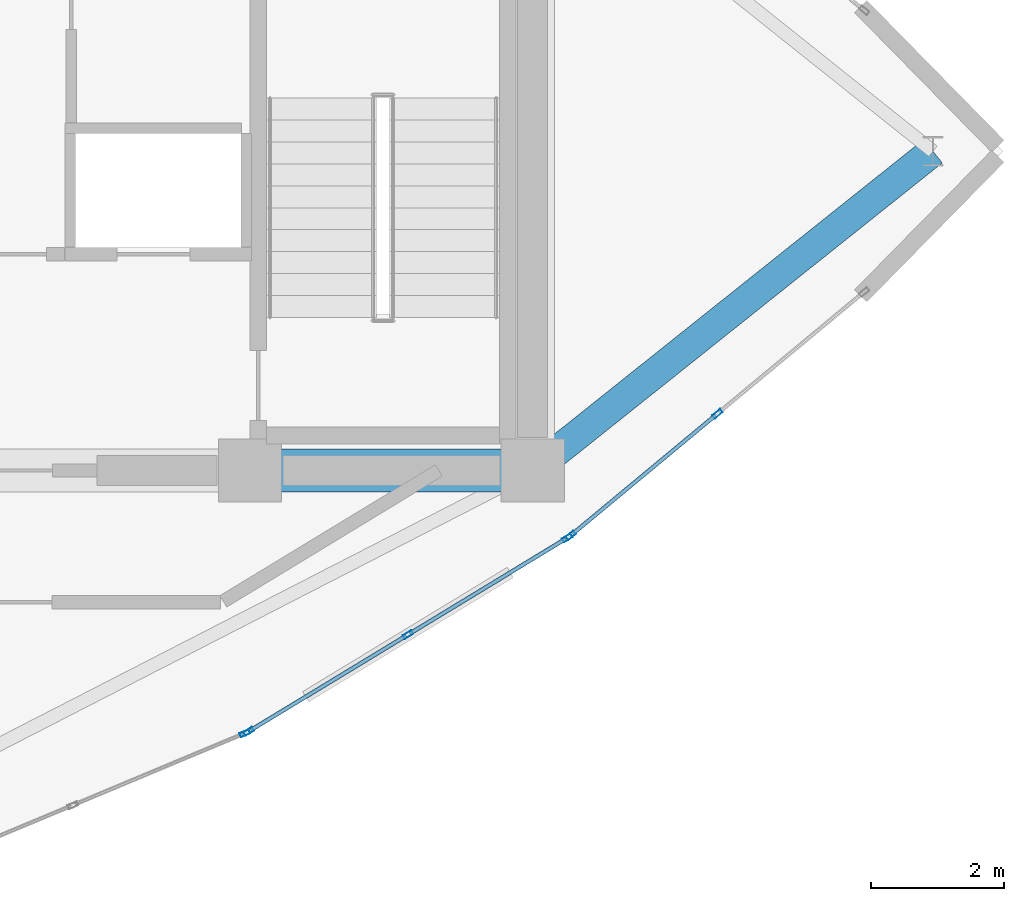
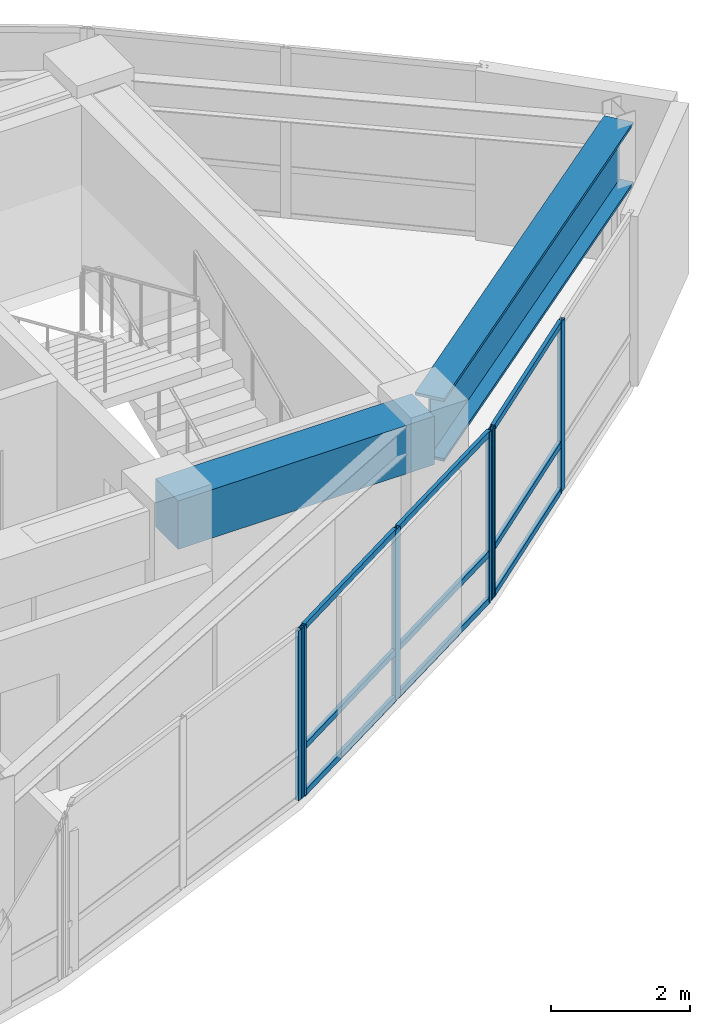
# One storey, part 5 of 14: 15 members, 2 beams, 3 elements without a shape of their own.
"""IFC4 building model written with IfcOpenShell, lengths in metres."""

import ifcopenshell
import ifcopenshell.guid

model = None  # the IFC model being written
_history = None  # IfcOwnerHistory: only IFC2X3 demands one
_inside = {}  # id of a spatial element -> (the spatial element, [elements in it])
_under = {}  # id of a project, library or spatial element -> (it, [spatial elements below it])
_declared = {}  # id of a project -> (the project, [libraries it declares])
_typed = {}  # id of a type object -> (the type object, [elements of that type])
_made_of = {}  # id of a material, layer set ... -> (it, [elements and type objects made of it])


def new_model(schema):
    """Start an empty IFC model of exactly this schema.

    Asked for "IFC4X3", IfcOpenShell would pick the latest addendum, in which some entities
    have other attributes; the version numbers below select the first issue.
    IFC2X3 requires an IfcOwnerHistory on every rooted entity: one is made here for all.
    """
    global model, _history
    if schema == "IFC4X3":
        model = ifcopenshell.file(schema_version=(4, 3, 0, 0))
    else:
        model = ifcopenshell.file(schema=schema)
    _inside.clear()
    _under.clear()
    _declared.clear()
    _typed.clear()
    _made_of.clear()
    _history = None
    if model.schema == "IFC2X3":
        org = make("IfcOrganization", Name="unknown")
        user = make(
            "IfcPersonAndOrganization",
            ThePerson=make("IfcPerson", FamilyName="unknown"),
            TheOrganization=org,
        )
        app = make(
            "IfcApplication",
            ApplicationDeveloper=org,
            Version="unknown",
            ApplicationFullName="unknown",
            ApplicationIdentifier="unknown",
        )
        _history = make(
            "IfcOwnerHistory",
            OwningUser=user,
            OwningApplication=app,
            ChangeAction="ADDED",
            CreationDate=0,
        )
    return model


def make(cls, **values):
    """One entity of the class cls with the attributes given. An attribute that is None is left unset."""
    return model.create_entity(
        cls, **{name: value for name, value in values.items() if value is not None}
    )


def rooted(cls, **values):
    """An entity with a GlobalId (a new one), such as an element, a storey or a relation."""
    return make(cls, GlobalId=ifcopenshell.guid.new(), OwnerHistory=_history, **values)


def si_unit(unit_type, name, prefix=None):
    """IfcSIUnit, for example si_unit("LENGTHUNIT", "METRE", prefix="MILLI")."""
    return make("IfcSIUnit", UnitType=unit_type, Prefix=prefix, Name=name)


def assignment(units):
    """IfcUnitAssignment: the units of a project."""
    return None if units is None else make("IfcUnitAssignment", Units=units)


def point(xyz):
    """IfcCartesianPoint."""
    return None if xyz is None else make("IfcCartesianPoint", Coordinates=xyz)


def direction(xyz):
    """IfcDirection."""
    return None if xyz is None else make("IfcDirection", DirectionRatios=xyz)


def frame(location, z_axis=None, x_axis=None):
    """IfcAxis2Placement3D, a coordinate frame: its origin and axes. An axis left out is left unset."""
    return make(
        "IfcAxis2Placement3D",
        Location=point(location),
        Axis=direction(z_axis),
        RefDirection=direction(x_axis),
    )


def frame_2d(location, x_axis=None):
    """IfcAxis2Placement2D, a coordinate frame in the plane: its origin and x axis."""
    return make(
        "IfcAxis2Placement2D", Location=point(location), RefDirection=direction(x_axis)
    )


def origin():
    """The frame at (0, 0, 0) with its axes left unset."""
    return frame((0.0, 0.0, 0.0))


def origin_2d():
    """The frame at (0, 0) in the plane with its x axis left unset."""
    return frame_2d((0.0, 0.0))


def place(relative_to, where):
    """IfcLocalPlacement: puts the frame where relative to a parent placement (None: the world)."""
    return make(
        "IfcLocalPlacement", PlacementRelTo=relative_to, RelativePlacement=where
    )


def context(
    kind, dimensions, precision=None, world=None, true_north=None, identifier=None
):
    """IfcGeometricRepresentationContext, for example the 3D "Model" context."""
    return make(
        "IfcGeometricRepresentationContext",
        ContextIdentifier=identifier,
        ContextType=kind,
        CoordinateSpaceDimension=dimensions,
        Precision=precision,
        WorldCoordinateSystem=world,
        TrueNorth=true_north,
    )


def subcontext(parent, identifier, kind, view, scale=None):
    """IfcGeometricRepresentationSubContext, for example "Body" below "Model"."""
    return make(
        "IfcGeometricRepresentationSubContext",
        ContextIdentifier=identifier,
        ContextType=kind,
        ParentContext=parent,
        TargetScale=scale,
        TargetView=view,
    )


def project(units=None, contexts=None):
    """IfcProject with its units and contexts."""
    return rooted(
        "IfcProject",
        Name="project",
        RepresentationContexts=contexts,
        UnitsInContext=assignment(units),
    )


def spatial(cls, under=None, at=None, **own):
    """A site, building, storey or space (cls), placed at a placement, below another one or the project."""
    s = rooted(cls, ObjectPlacement=at, **own)
    if under is not None:
        _under.setdefault(under.id(), (under, []))[1].append(s)
    return s


def profile(cls, at=None, kind="AREA", **sizes):
    """A parametric profile (cls). Its sizes go by their IFC names, for example OverallWidth=200.0."""
    return make(cls, ProfileType=kind, Position=at, **sizes)


def rectangle(**sizes):
    """IfcRectangleProfileDef."""
    return profile("IfcRectangleProfileDef", **sizes)


def hollow_rectangle(**sizes):
    """IfcRectangleHollowProfileDef."""
    return profile("IfcRectangleHollowProfileDef", **sizes)


def i_section(**sizes):
    """IfcIShapeProfileDef."""
    return profile("IfcIShapeProfileDef", **sizes)


def extrude(swept, where, along, depth):
    """IfcExtrudedAreaSolid: the profile swept, set in the frame where, extruded along a direction by depth."""
    return make(
        "IfcExtrudedAreaSolid",
        SweptArea=swept,
        Position=where,
        ExtrudedDirection=direction(along),
        Depth=depth,
    )


def shape(context_of_items, identifier, shape_type, items):
    """IfcShapeRepresentation: the items that make up one representation, for example the "Body"."""
    return make(
        "IfcShapeRepresentation",
        ContextOfItems=context_of_items,
        RepresentationIdentifier=identifier,
        RepresentationType=shape_type,
        Items=items,
    )


def material(Name=None, Category=None):
    """IfcMaterial."""
    return make("IfcMaterial", Name=Name, Category=Category)


def layer(
    of_material, thickness, ventilated=None, Name=None, Category=None, Priority=None
):
    """IfcMaterialLayer: one layer of a wall or slab, of a material (None: an air gap)."""
    return make(
        "IfcMaterialLayer",
        Material=of_material,
        LayerThickness=thickness,
        IsVentilated=ventilated,
        Name=Name,
        Category=Category,
        Priority=Priority,
    )


def layer_set(layers, Name=None):
    """IfcMaterialLayerSet."""
    return make("IfcMaterialLayerSet", MaterialLayers=layers, LayerSetName=Name)


def material_profile(
    of_material, cross_section, Name=None, Category=None, Priority=None
):
    """IfcMaterialProfile: a cross section and its material."""
    return make(
        "IfcMaterialProfile",
        Name=Name,
        Material=of_material,
        Profile=cross_section,
        Priority=Priority,
        Category=Category,
    )


def profile_set(profiles, Name=None, composite=None):
    """IfcMaterialProfileSet."""
    return make(
        "IfcMaterialProfileSet",
        Name=Name,
        MaterialProfiles=profiles,
        CompositeProfile=composite,
    )


def made_of(thing, what):
    """Note that an element or type object is made of a material, layer set ...; save() writes the relation."""
    if what is not None:
        _made_of.setdefault(what.id(), (what, []))[1].append(thing)
    return thing


def type_object(cls, material=None, **own):
    """A type object (cls), such as IfcWallType, which elements share."""
    return made_of(rooted(cls, **own), material)


def element(
    cls,
    number,
    at=None,
    inside=None,
    cuts=None,
    type_object=None,
    material=None,
    context=None,
    identifier="Body",
    shape_type=None,
    held_by="IfcProductDefinitionShape",
    body=None,
    shapes=None,
    **own,
):
    """One element of the class cls, such as IfcWall. Its Tag is "e" and its number.

    at: its placement. inside: the storey or other place that contains it. cuts: it is an
    opening in that element (IfcRelVoidsElement). A single representation is given by context,
    identifier, shape_type and body (its items); several are given by shapes. held_by: the class
    of the entity that holds the representations. save() writes the other relations.
    """
    e = rooted(cls, Tag="e%d" % number, ObjectPlacement=at, **own)
    if body is not None:
        shapes = [shape(context, identifier, shape_type, body)]
    if shapes is not None:
        e.Representation = make(held_by, Representations=shapes)
    if inside is not None:
        _inside.setdefault(inside.id(), (inside, []))[1].append(e)
    if cuts is not None:
        rooted(
            "IfcRelVoidsElement", RelatingBuildingElement=cuts, RelatedOpeningElement=e
        )
    if type_object is not None:
        _typed.setdefault(type_object.id(), (type_object, []))[1].append(e)
    return made_of(e, material)


def aggregate(whole, parts):
    """IfcRelAggregates: a whole, such as a stair, and the parts it consists of."""
    return rooted("IfcRelAggregates", RelatingObject=whole, RelatedObjects=parts)


def save(model, path):
    """Write the relations noted so far, then the file.

    IfcRelAggregates (storeys below a building ...), IfcRelContainedInSpatialStructure (elements
    in a storey), IfcRelDefinesByType, IfcRelAssociatesMaterial and IfcRelDeclares: one each for
    every whole, place, type object, material and project.
    """
    for whole, parts in _under.values():
        aggregate(whole, parts)
    for where, things in _inside.values():
        rooted(
            "IfcRelContainedInSpatialStructure",
            RelatedElements=things,
            RelatingStructure=where,
        )
    for kind, things in _typed.values():
        rooted("IfcRelDefinesByType", RelatedObjects=things, RelatingType=kind)
    for what, things in _made_of.values():
        rooted("IfcRelAssociatesMaterial", RelatedObjects=things, RelatingMaterial=what)
    for by, libraries in _declared.values():
        rooted("IfcRelDeclares", RelatingContext=by, RelatedDefinitions=libraries)
    model.write(path)


model = new_model("IFC4")

# Units and contexts
model_context = context("Model", 3, precision=1e-05, world=origin(), true_north=direction((0.0, 1.0)))
body_context = subcontext(model_context, "Body", "Model", "MODEL_VIEW")
ifc_project = project(units=[si_unit("LENGTHUNIT", "METRE"), si_unit("AREAUNIT", "SQUARE_METRE"), si_unit("VOLUMEUNIT", "CUBIC_METRE"), si_unit("PLANEANGLEUNIT", "RADIAN"), si_unit("MASSUNIT", "GRAM", prefix="KILO")], contexts=[model_context])

# Site, building, storey
site_placement = place(None, origin())
site = spatial("IfcSite", under=ifc_project, at=site_placement, CompositionType="ELEMENT")
building_placement = place(site_placement, origin())
building = spatial("IfcBuilding", under=site, at=building_placement, Name="Menara Vayukalpa", CompositionType="ELEMENT")
storey_placement = place(building_placement, frame((0.0, 0.0, 308.820068359375)))
storey = spatial("IfcBuildingStorey", under=building, at=storey_placement, Name="L79", CompositionType="ELEMENT", Elevation=308.820068359375)

# Beams
ifc_material_1 = material(Name="Concrete C60/75", Category="concrete")
ifc_material_profile_1 = material_profile(ifc_material_1, rectangle(XDim=0.64990234375, YDim=0.85009765625, at=origin_2d()), Name="RC 650x850")
ifc_profile_set_1 = profile_set([ifc_material_profile_1], Name="Concrete C60/75")
beam_type_1 = type_object("IfcBeamType", Name="BM-CB1", PredefinedType="BEAM", material=ifc_profile_set_1)
beam_1_placement = place(storey_placement, frame((29.14990234375, 17.199951171875, 2.554931640625), z_axis=(1.0, 0.0, 0.0), x_axis=(0.0, 1.0, 0.0)))
element("IfcBeam", 1, at=beam_1_placement, inside=storey, type_object=beam_type_1, Name="L79 Core Tie Beam CBR3", PredefinedType="BEAM", context=body_context, shape_type="SweptSolid", body=[
    extrude(rectangle(XDim=0.64990234375, YDim=0.85009765625, at=origin_2d()), origin(), (0.0, 0.0, 1.0), 4.25),
])
ifc_material_2 = material(Name="Steel S460", Category="steel")
ifc_material_profile_2 = material_profile(ifc_material_2, i_section(OverallWidth=0.449951171875, OverallDepth=1.10009765625, WebThickness=0.02490234375, FlangeThickness=0.050048828125, at=origin_2d()), Name="WG 1100x450x25x50")
ifc_profile_set_2 = profile_set([ifc_material_profile_2], Name="Steel S460")
beam_type_2 = type_object("IfcBeamType", Name="BM-MTG1", PredefinedType="BEAM", material=ifc_profile_set_2)
beam_2_placement = place(storey_placement, frame((33.595458984375, 17.35595703125, 2.429931640625), z_axis=(0.781833603421, 0.623487142258, 0.0), x_axis=(-0.623487142258, 0.781833603421, 0.0)))
element("IfcBeam", 2, at=beam_2_placement, inside=storey, type_object=beam_type_2, Name="L79 Primary Radial Girder RG01", PredefinedType="BEAM", context=body_context, shape_type="SweptSolid", body=[
    extrude(i_section(OverallWidth=0.449951171875, OverallDepth=1.10009765625, WebThickness=0.02490234375, FlangeThickness=0.050048828125, at=origin_2d()), origin(), (0.0, 0.0, 1.0), 7.448486328125),
])

# Curtain wall, member
ifc_material_3 = material(Name="Anodised Terracotta Aluminium Alloy 6063-T6", Category="masonry")
ifc_layer = layer(ifc_material_3, 0.14990234375)
ifc_layer_set = layer_set([ifc_layer], Name="Anodised Terracotta Aluminium Alloy 6063-T6")
curtain_wall_type = type_object("IfcCurtainWallType", Name="CW-CW7", PredefinedType="USERDEFINED", material=ifc_layer_set)
curtain_wall_1_placement = place(storey_placement, origin())
curtain_wall_1 = element("IfcCurtainWall", 3, at=curtain_wall_1_placement, inside=storey, type_object=curtain_wall_type, Name="L79 Crown Drum Screened Curtain Wall CW7 16", ObjectType="UNITISED", PredefinedType="USERDEFINED")
ifc_material_4 = material(Name="Anodised Terracotta Aluminium Alloy 6063-T6", Category="masonry")
ifc_material_profile_3 = material_profile(ifc_material_4, hollow_rectangle(XDim=0.06494140625, YDim=0.14990234375, WallThickness=0.00341796875, at=origin_2d()), Name="ALU 65x150x3.5")
ifc_profile_set_3 = profile_set([ifc_material_profile_3], Name="Anodised Terracotta Aluminium Alloy 6063-T6")
member_type_1 = type_object("IfcMemberType", Name="CWM-CW7", PredefinedType="MULLION", material=ifc_profile_set_3)
member_1_placement = place(storey_placement, frame((29.07177734375, 13.246337890625, 0.0), z_axis=(0.0, 0.0, 1.0), x_axis=(-0.385898361946, 0.922541302191, 0.0)))
member_1 = element("IfcMember", 4, at=member_1_placement, type_object=member_type_1, Name="CW7 mullion 3", PredefinedType="MULLION", context=body_context, shape_type="SweptSolid", body=[
    extrude(hollow_rectangle(XDim=0.06494140625, YDim=0.14990234375, WallThickness=0.00341796875, at=origin_2d()), origin(), (0.0, 0.0, 1.0), 2.97998046875),
])
aggregate(curtain_wall_1, [member_1])

# Curtain wall, members
curtain_wall_2_placement = place(storey_placement, origin())
curtain_wall_2 = element("IfcCurtainWall", 5, at=curtain_wall_2_placement, inside=storey, type_object=curtain_wall_type, Name="L79 Crown Drum Screened Curtain Wall CW7 17", ObjectType="UNITISED", PredefinedType="USERDEFINED")
member_2_placement = place(storey_placement, frame((29.129638671875, 13.27587890625, 0.0), z_axis=(0.0, 0.0, 1.0), x_axis=(-0.519176441176, 0.854667083096, 0.0)))
member_2 = element("IfcMember", 6, at=member_2_placement, type_object=member_type_1, Name="CW7 mullion 1", PredefinedType="MULLION", context=body_context, shape_type="SweptSolid", body=[
    extrude(hollow_rectangle(XDim=0.06494140625, YDim=0.14990234375, WallThickness=0.00341796875, at=origin_2d()), origin(), (0.0, 0.0, 1.0), 2.97998046875),
])
member_3_placement = place(storey_placement, frame((31.525146484375, 14.73095703125, 0.0), z_axis=(0.0, 0.0, 1.0), x_axis=(-0.519176441176, 0.854667083096, 0.0)))
member_3 = element("IfcMember", 7, at=member_3_placement, type_object=member_type_1, Name="CW7 mullion 2", PredefinedType="MULLION", context=body_context, shape_type="SweptSolid", body=[
    extrude(hollow_rectangle(XDim=0.06494140625, YDim=0.14990234375, WallThickness=0.00341796875, at=origin_2d()), origin(), (0.0, 0.0, 1.0), 2.97998046875),
])
member_4_placement = place(storey_placement, frame((33.9208984375, 16.186279296875, 0.0), z_axis=(0.0, 0.0, 1.0), x_axis=(-0.519176441176, 0.854667083096, 0.0)))
member_4 = element("IfcMember", 8, at=member_4_placement, type_object=member_type_1, Name="CW7 mullion 3", PredefinedType="MULLION", context=body_context, shape_type="SweptSolid", body=[
    extrude(hollow_rectangle(XDim=0.06494140625, YDim=0.14990234375, WallThickness=0.00341796875, at=origin_2d()), origin(), (0.0, 0.0, 1.0), 2.97998046875),
])

curtain_wall_3_placement = place(storey_placement, origin())
curtain_wall_3 = element("IfcCurtainWall", 9, at=curtain_wall_3_placement, inside=storey, type_object=curtain_wall_type, Name="L79 Crown Drum Screened Curtain Wall CW7 18", ObjectType="UNITISED", PredefinedType="USERDEFINED")
member_5_placement = place(storey_placement, frame((33.9736328125, 16.223876953125, 0.0), z_axis=(0.0, 0.0, 1.0), x_axis=(-0.63834658997, 0.7697490702, 0.0)))
member_5 = element("IfcMember", 10, at=member_5_placement, type_object=member_type_1, Name="CW7 mullion 1", PredefinedType="MULLION", context=body_context, shape_type="SweptSolid", body=[
    extrude(hollow_rectangle(XDim=0.06494140625, YDim=0.14990234375, WallThickness=0.00341796875, at=origin_2d()), origin(), (0.0, 0.0, 1.0), 2.97998046875),
])
member_6_placement = place(storey_placement, frame((36.1796875, 18.053466796875, 0.0), z_axis=(0.0, 0.0, 1.0), x_axis=(-0.63834658997, 0.7697490702, 0.0)))
member_6 = element("IfcMember", 11, at=member_6_placement, type_object=member_type_1, Name="CW7 mullion 2", PredefinedType="MULLION", context=body_context, shape_type="SweptSolid", body=[
    extrude(hollow_rectangle(XDim=0.06494140625, YDim=0.14990234375, WallThickness=0.00341796875, at=origin_2d()), origin(), (0.0, 0.0, 1.0), 2.97998046875),
])

# Member
ifc_material_5 = material(Name="Anodised Terracotta Aluminium Alloy 6063-T6", Category="masonry")
ifc_material_profile_4 = material_profile(ifc_material_5, hollow_rectangle(XDim=0.06005859375, YDim=0.10498046875, WallThickness=0.0029296875, at=origin_2d()), Name="ALU 60x105x3")
ifc_profile_set_4 = profile_set([ifc_material_profile_4], Name="Anodised Terracotta Aluminium Alloy 6063-T6")
member_type_2 = type_object("IfcMemberType", Name="CWT-CW7", PredefinedType="USERDEFINED", material=ifc_profile_set_4)
member_7_placement = place(storey_placement, frame((29.157470703125, 13.292724609375, 0.030029296875), z_axis=(0.854687194246, 0.519143332801, 0.0), x_axis=(-0.519143332801, 0.854687194246, 0.0)))
member_7 = element("IfcMember", 12, at=member_7_placement, type_object=member_type_2, Name="CW7 transom 1.1", ObjectType="TRANSOM", PredefinedType="USERDEFINED", context=body_context, shape_type="SweptSolid", body=[
    extrude(hollow_rectangle(XDim=0.06005859375, YDim=0.10498046875, WallThickness=0.0029296875, at=origin_2d()), origin(), (0.0, 0.0, 1.0), 2.738037109375),
])

member_8_placement = place(storey_placement, frame((29.157470703125, 13.292724609375, 0.849853515625), z_axis=(0.854687194246, 0.519143332801, 0.0), x_axis=(-0.519143332801, 0.854687194246, 0.0)))
member_8 = element("IfcMember", 13, at=member_8_placement, type_object=member_type_2, Name="CW7 transom 1.2", ObjectType="TRANSOM", PredefinedType="USERDEFINED", context=body_context, shape_type="SweptSolid", body=[
    extrude(hollow_rectangle(XDim=0.06005859375, YDim=0.10498046875, WallThickness=0.0029296875, at=origin_2d()), origin(), (0.0, 0.0, 1.0), 2.738037109375),
])

member_9_placement = place(storey_placement, frame((29.157470703125, 13.292724609375, 2.949951171875), z_axis=(0.854687194246, 0.519143332801, 0.0), x_axis=(-0.519143332801, 0.854687194246, 0.0)))
member_9 = element("IfcMember", 14, at=member_9_placement, type_object=member_type_2, Name="CW7 transom 1.3", ObjectType="TRANSOM", PredefinedType="USERDEFINED", context=body_context, shape_type="SweptSolid", body=[
    extrude(hollow_rectangle(XDim=0.06005859375, YDim=0.10498046875, WallThickness=0.0029296875, at=origin_2d()), origin(), (0.0, 0.0, 1.0), 2.738037109375),
])

member_10_placement = place(storey_placement, frame((31.552978515625, 14.747802734375, 0.030029296875), z_axis=(0.854647628743, 0.519208465537, 0.0), x_axis=(-0.519208465537, 0.854647628743, 0.0)))
member_10 = element("IfcMember", 15, at=member_10_placement, type_object=member_type_2, Name="CW7 transom 2.1", ObjectType="TRANSOM", PredefinedType="USERDEFINED", context=body_context, shape_type="SweptSolid", body=[
    extrude(hollow_rectangle(XDim=0.06005859375, YDim=0.10498046875, WallThickness=0.0029296875, at=origin_2d()), origin(), (0.0, 0.0, 1.0), 2.738037109375),
])

member_11_placement = place(storey_placement, frame((31.552978515625, 14.747802734375, 0.849853515625), z_axis=(0.854647628743, 0.519208465537, 0.0), x_axis=(-0.519208465537, 0.854647628743, 0.0)))
member_11 = element("IfcMember", 16, at=member_11_placement, type_object=member_type_2, Name="CW7 transom 2.2", ObjectType="TRANSOM", PredefinedType="USERDEFINED", context=body_context, shape_type="SweptSolid", body=[
    extrude(hollow_rectangle(XDim=0.06005859375, YDim=0.10498046875, WallThickness=0.0029296875, at=origin_2d()), origin(), (0.0, 0.0, 1.0), 2.738037109375),
])

member_12_placement = place(storey_placement, frame((31.552978515625, 14.747802734375, 2.949951171875), z_axis=(0.854647628743, 0.519208465537, 0.0), x_axis=(-0.519208465537, 0.854647628743, 0.0)))
member_12 = element("IfcMember", 17, at=member_12_placement, type_object=member_type_2, Name="CW7 transom 2.3", ObjectType="TRANSOM", PredefinedType="USERDEFINED", context=body_context, shape_type="SweptSolid", body=[
    extrude(hollow_rectangle(XDim=0.06005859375, YDim=0.10498046875, WallThickness=0.0029296875, at=origin_2d()), origin(), (0.0, 0.0, 1.0), 2.738037109375),
])

aggregate(curtain_wall_2, [member_2, member_3, member_4, member_7, member_8, member_9, member_10, member_11, member_12])

member_13_placement = place(storey_placement, frame((33.998779296875, 16.24462890625, 0.030029296875), z_axis=(0.769726621741, 0.638373658434, 0.0), x_axis=(-0.638373658434, 0.769726621741, 0.0)))
member_13 = element("IfcMember", 18, at=member_13_placement, type_object=member_type_2, Name="CW7 transom 1.1", ObjectType="TRANSOM", PredefinedType="USERDEFINED", context=body_context, shape_type="SweptSolid", body=[
    extrude(hollow_rectangle(XDim=0.06005859375, YDim=0.10498046875, WallThickness=0.0029296875, at=origin_2d()), origin(), (0.0, 0.0, 1.0), 2.801025390625),
])

member_14_placement = place(storey_placement, frame((33.998779296875, 16.24462890625, 0.849853515625), z_axis=(0.769726621741, 0.638373658434, 0.0), x_axis=(-0.638373658434, 0.769726621741, 0.0)))
member_14 = element("IfcMember", 19, at=member_14_placement, type_object=member_type_2, Name="CW7 transom 1.2", ObjectType="TRANSOM", PredefinedType="USERDEFINED", context=body_context, shape_type="SweptSolid", body=[
    extrude(hollow_rectangle(XDim=0.06005859375, YDim=0.10498046875, WallThickness=0.0029296875, at=origin_2d()), origin(), (0.0, 0.0, 1.0), 2.801025390625),
])

member_15_placement = place(storey_placement, frame((33.998779296875, 16.24462890625, 2.949951171875), z_axis=(0.769726621741, 0.638373658434, 0.0), x_axis=(-0.638373658434, 0.769726621741, 0.0)))
member_15 = element("IfcMember", 20, at=member_15_placement, type_object=member_type_2, Name="CW7 transom 1.3", ObjectType="TRANSOM", PredefinedType="USERDEFINED", context=body_context, shape_type="SweptSolid", body=[
    extrude(hollow_rectangle(XDim=0.06005859375, YDim=0.10498046875, WallThickness=0.0029296875, at=origin_2d()), origin(), (0.0, 0.0, 1.0), 2.801025390625),
])

aggregate(curtain_wall_3, [member_5, member_6, member_13, member_14, member_15])

save(model, "model.ifc")
